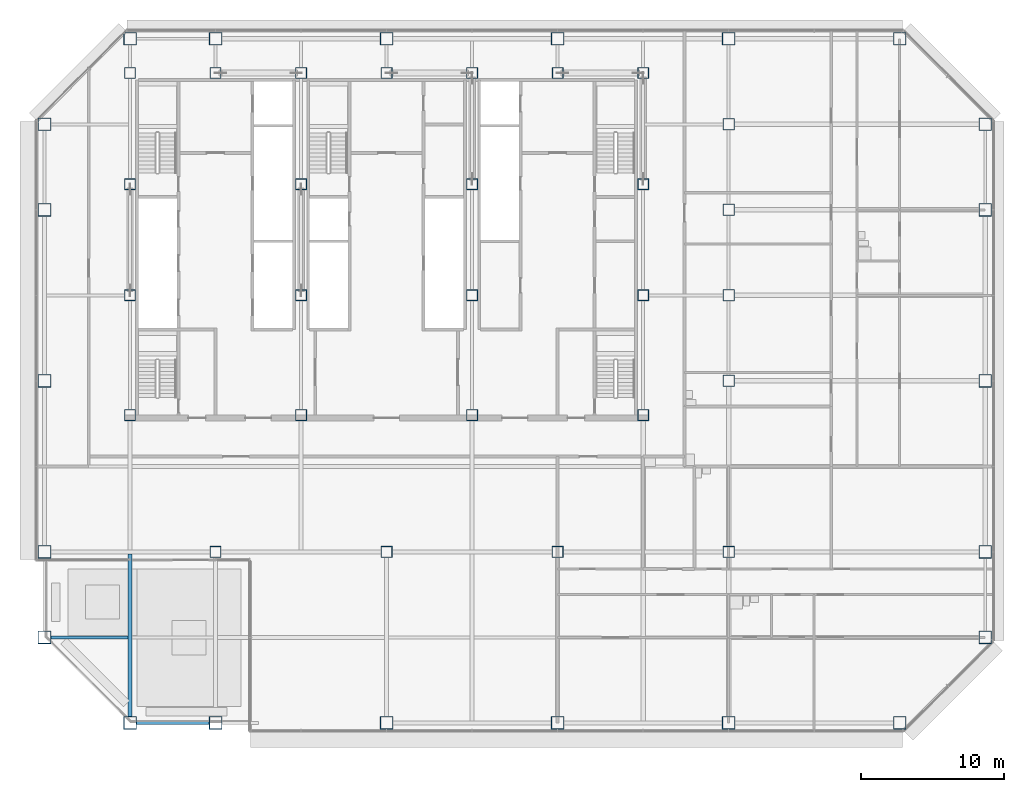
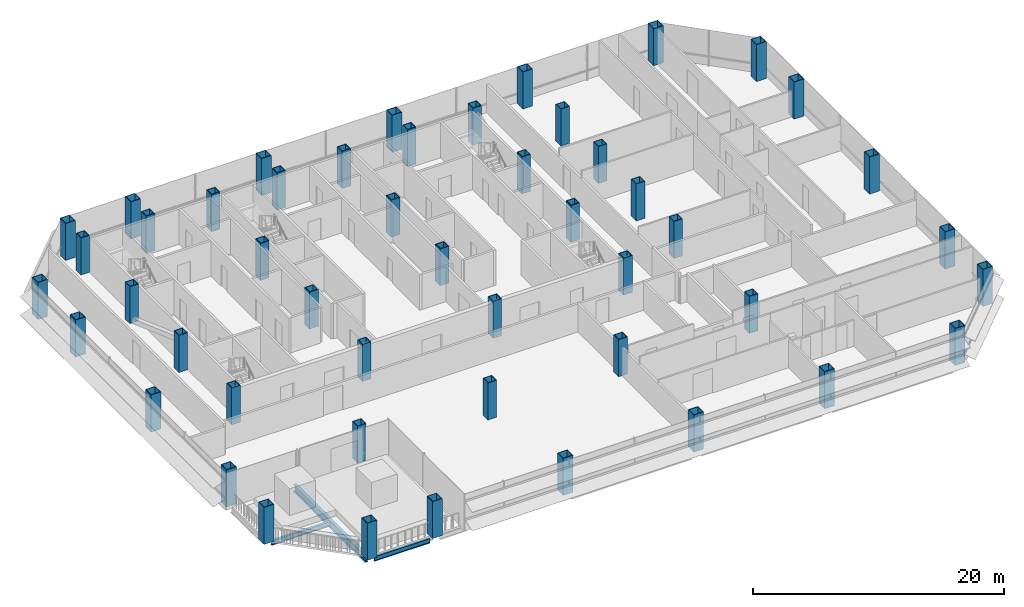
# One storey, part 1 of 28: 49 columns, 3 beams.
"""IFC4 building model written with IfcOpenShell, lengths in metres."""

import ifcopenshell
import ifcopenshell.guid

model = None  # the IFC model being written
_history = None  # IfcOwnerHistory: only IFC2X3 demands one
_inside = {}  # id of a spatial element -> (the spatial element, [elements in it])
_under = {}  # id of a project, library or spatial element -> (it, [spatial elements below it])
_declared = {}  # id of a project -> (the project, [libraries it declares])
_typed = {}  # id of a type object -> (the type object, [elements of that type])
_made_of = {}  # id of a material, layer set ... -> (it, [elements and type objects made of it])


def new_model(schema):
    """Start an empty IFC model of exactly this schema.

    Asked for "IFC4X3", IfcOpenShell would pick the latest addendum, in which some entities
    have other attributes; the version numbers below select the first issue.
    IFC2X3 requires an IfcOwnerHistory on every rooted entity: one is made here for all.
    """
    global model, _history
    if schema == "IFC4X3":
        model = ifcopenshell.file(schema_version=(4, 3, 0, 0))
    else:
        model = ifcopenshell.file(schema=schema)
    _inside.clear()
    _under.clear()
    _declared.clear()
    _typed.clear()
    _made_of.clear()
    _history = None
    if model.schema == "IFC2X3":
        org = make("IfcOrganization", Name="unknown")
        user = make(
            "IfcPersonAndOrganization",
            ThePerson=make("IfcPerson", FamilyName="unknown"),
            TheOrganization=org,
        )
        app = make(
            "IfcApplication",
            ApplicationDeveloper=org,
            Version="unknown",
            ApplicationFullName="unknown",
            ApplicationIdentifier="unknown",
        )
        _history = make(
            "IfcOwnerHistory",
            OwningUser=user,
            OwningApplication=app,
            ChangeAction="ADDED",
            CreationDate=0,
        )
    return model


def make(cls, **values):
    """One entity of the class cls with the attributes given. An attribute that is None is left unset."""
    return model.create_entity(
        cls, **{name: value for name, value in values.items() if value is not None}
    )


def rooted(cls, **values):
    """An entity with a GlobalId (a new one), such as an element, a storey or a relation."""
    return make(cls, GlobalId=ifcopenshell.guid.new(), OwnerHistory=_history, **values)


def si_unit(unit_type, name, prefix=None):
    """IfcSIUnit, for example si_unit("LENGTHUNIT", "METRE", prefix="MILLI")."""
    return make("IfcSIUnit", UnitType=unit_type, Prefix=prefix, Name=name)


def assignment(units):
    """IfcUnitAssignment: the units of a project."""
    return None if units is None else make("IfcUnitAssignment", Units=units)


def point(xyz):
    """IfcCartesianPoint."""
    return None if xyz is None else make("IfcCartesianPoint", Coordinates=xyz)


def direction(xyz):
    """IfcDirection."""
    return None if xyz is None else make("IfcDirection", DirectionRatios=xyz)


def frame(location, z_axis=None, x_axis=None):
    """IfcAxis2Placement3D, a coordinate frame: its origin and axes. An axis left out is left unset."""
    return make(
        "IfcAxis2Placement3D",
        Location=point(location),
        Axis=direction(z_axis),
        RefDirection=direction(x_axis),
    )


def frame_2d(location, x_axis=None):
    """IfcAxis2Placement2D, a coordinate frame in the plane: its origin and x axis."""
    return make(
        "IfcAxis2Placement2D", Location=point(location), RefDirection=direction(x_axis)
    )


def origin():
    """The frame at (0, 0, 0) with its axes left unset."""
    return frame((0.0, 0.0, 0.0))


def origin_2d():
    """The frame at (0, 0) in the plane with its x axis left unset."""
    return frame_2d((0.0, 0.0))


def place(relative_to, where):
    """IfcLocalPlacement: puts the frame where relative to a parent placement (None: the world)."""
    return make(
        "IfcLocalPlacement", PlacementRelTo=relative_to, RelativePlacement=where
    )


def context(
    kind, dimensions, precision=None, world=None, true_north=None, identifier=None
):
    """IfcGeometricRepresentationContext, for example the 3D "Model" context."""
    return make(
        "IfcGeometricRepresentationContext",
        ContextIdentifier=identifier,
        ContextType=kind,
        CoordinateSpaceDimension=dimensions,
        Precision=precision,
        WorldCoordinateSystem=world,
        TrueNorth=true_north,
    )


def subcontext(parent, identifier, kind, view, scale=None):
    """IfcGeometricRepresentationSubContext, for example "Body" below "Model"."""
    return make(
        "IfcGeometricRepresentationSubContext",
        ContextIdentifier=identifier,
        ContextType=kind,
        ParentContext=parent,
        TargetScale=scale,
        TargetView=view,
    )


def project(units=None, contexts=None):
    """IfcProject with its units and contexts."""
    return rooted(
        "IfcProject",
        Name="project",
        RepresentationContexts=contexts,
        UnitsInContext=assignment(units),
    )


def spatial(cls, under=None, at=None, **own):
    """A site, building, storey or space (cls), placed at a placement, below another one or the project."""
    s = rooted(cls, ObjectPlacement=at, **own)
    if under is not None:
        _under.setdefault(under.id(), (under, []))[1].append(s)
    return s


def profile(cls, at=None, kind="AREA", **sizes):
    """A parametric profile (cls). Its sizes go by their IFC names, for example OverallWidth=200.0."""
    return make(cls, ProfileType=kind, Position=at, **sizes)


def hollow_rectangle(**sizes):
    """IfcRectangleHollowProfileDef."""
    return profile("IfcRectangleHollowProfileDef", **sizes)


def i_section(**sizes):
    """IfcIShapeProfileDef."""
    return profile("IfcIShapeProfileDef", **sizes)


def extrude(swept, where, along, depth):
    """IfcExtrudedAreaSolid: the profile swept, set in the frame where, extruded along a direction by depth."""
    return make(
        "IfcExtrudedAreaSolid",
        SweptArea=swept,
        Position=where,
        ExtrudedDirection=direction(along),
        Depth=depth,
    )


def shape(context_of_items, identifier, shape_type, items):
    """IfcShapeRepresentation: the items that make up one representation, for example the "Body"."""
    return make(
        "IfcShapeRepresentation",
        ContextOfItems=context_of_items,
        RepresentationIdentifier=identifier,
        RepresentationType=shape_type,
        Items=items,
    )


def material(Name=None, Category=None):
    """IfcMaterial."""
    return make("IfcMaterial", Name=Name, Category=Category)


def material_profile(
    of_material, cross_section, Name=None, Category=None, Priority=None
):
    """IfcMaterialProfile: a cross section and its material."""
    return make(
        "IfcMaterialProfile",
        Name=Name,
        Material=of_material,
        Profile=cross_section,
        Priority=Priority,
        Category=Category,
    )


def profile_set(profiles, Name=None, composite=None):
    """IfcMaterialProfileSet."""
    return make(
        "IfcMaterialProfileSet",
        Name=Name,
        MaterialProfiles=profiles,
        CompositeProfile=composite,
    )


def made_of(thing, what):
    """Note that an element or type object is made of a material, layer set ...; save() writes the relation."""
    if what is not None:
        _made_of.setdefault(what.id(), (what, []))[1].append(thing)
    return thing


def type_object(cls, material=None, **own):
    """A type object (cls), such as IfcWallType, which elements share."""
    return made_of(rooted(cls, **own), material)


def element(
    cls,
    number,
    at=None,
    inside=None,
    cuts=None,
    type_object=None,
    material=None,
    context=None,
    identifier="Body",
    shape_type=None,
    held_by="IfcProductDefinitionShape",
    body=None,
    shapes=None,
    **own,
):
    """One element of the class cls, such as IfcWall. Its Tag is "e" and its number.

    at: its placement. inside: the storey or other place that contains it. cuts: it is an
    opening in that element (IfcRelVoidsElement). A single representation is given by context,
    identifier, shape_type and body (its items); several are given by shapes. held_by: the class
    of the entity that holds the representations. save() writes the other relations.
    """
    e = rooted(cls, Tag="e%d" % number, ObjectPlacement=at, **own)
    if body is not None:
        shapes = [shape(context, identifier, shape_type, body)]
    if shapes is not None:
        e.Representation = make(held_by, Representations=shapes)
    if inside is not None:
        _inside.setdefault(inside.id(), (inside, []))[1].append(e)
    if cuts is not None:
        rooted(
            "IfcRelVoidsElement", RelatingBuildingElement=cuts, RelatedOpeningElement=e
        )
    if type_object is not None:
        _typed.setdefault(type_object.id(), (type_object, []))[1].append(e)
    return made_of(e, material)


def aggregate(whole, parts):
    """IfcRelAggregates: a whole, such as a stair, and the parts it consists of."""
    return rooted("IfcRelAggregates", RelatingObject=whole, RelatedObjects=parts)


def save(model, path):
    """Write the relations noted so far, then the file.

    IfcRelAggregates (storeys below a building ...), IfcRelContainedInSpatialStructure (elements
    in a storey), IfcRelDefinesByType, IfcRelAssociatesMaterial and IfcRelDeclares: one each for
    every whole, place, type object, material and project.
    """
    for whole, parts in _under.values():
        aggregate(whole, parts)
    for where, things in _inside.values():
        rooted(
            "IfcRelContainedInSpatialStructure",
            RelatedElements=things,
            RelatingStructure=where,
        )
    for kind, things in _typed.values():
        rooted("IfcRelDefinesByType", RelatedObjects=things, RelatingType=kind)
    for what, things in _made_of.values():
        rooted("IfcRelAssociatesMaterial", RelatedObjects=things, RelatingMaterial=what)
    for by, libraries in _declared.values():
        rooted("IfcRelDeclares", RelatingContext=by, RelatedDefinitions=libraries)
    model.write(path)


model = new_model("IFC4")

# Units and contexts
model_context = context("Model", 3, precision=1e-05, world=origin(), true_north=direction((0.0, 1.0)))
body_context = subcontext(model_context, "Body", "Model", "MODEL_VIEW")
ifc_project = project(units=[si_unit("LENGTHUNIT", "METRE"), si_unit("AREAUNIT", "SQUARE_METRE"), si_unit("VOLUMEUNIT", "CUBIC_METRE"), si_unit("PLANEANGLEUNIT", "RADIAN"), si_unit("MASSUNIT", "GRAM", prefix="KILO")], contexts=[model_context])

# Site, building, storey
site_placement = place(None, origin())
site = spatial("IfcSite", under=ifc_project, at=site_placement, CompositionType="ELEMENT")
building_placement = place(site_placement, origin())
building = spatial("IfcBuilding", under=site, at=building_placement, Name="Sorahane Residences", CompositionType="ELEMENT")
storey_placement = place(building_placement, frame((0.0, 0.0, 60.60009765625)))
storey = spatial("IfcBuildingStorey", under=building, at=storey_placement, Name="L11", CompositionType="ELEMENT", Elevation=60.60009765625)

# Columns
ifc_material_1 = material(Name="Steel Q355B", Category="steel")
ifc_material_profile_1 = material_profile(ifc_material_1, hollow_rectangle(XDim=0.800048828125, YDim=0.800048828125, WallThickness=0.0400390625, at=origin_2d()), Name="BOX 800x800x40")
ifc_profile_set_1 = profile_set([ifc_material_profile_1], Name="Steel Q355B")
column_type_1 = type_object("IfcColumnType", Name="Steel box column BOX 800x800x40 Q355B", PredefinedType="COLUMN", material=ifc_profile_set_1)
for number, where, z_axis, x_axis, name in (
    (1, (12.0, 12.0, 0.0), (0.0, 0.0, 1.0), (1.0, 0.0, 0.0), "Column L11 12/12"),
    (2, (24.0, 12.0, 0.0), (0.0, 0.0, 1.0), (1.0, 0.0, 0.0), "Column L11 24/12"),
    (3, (36.0, 12.0, 0.0), (0.0, 0.0, 1.0), (1.0, 0.0, 0.0), "Column L11 36/12"),
    (4, (48.0, 12.0, 0.0), (0.0, 0.0, 1.0), (1.0, 0.0, 0.0), "Column L11 48/12"),
    (5, (48.0, 24.0, 0.0), (0.0, 0.0, 1.0), (1.0, 0.0, 0.0), "Column L11 48/24"),
    (6, (48.0, 30.0, 0.0), (0.0, 0.0, 1.0), (1.0, 0.0, 0.0), "Column L11 48/30"),
    (7, (48.0, 36.0, 0.0), (0.0, 0.0, 1.0), (1.0, 0.0, 0.0), "Column L11 48/36"),
    (8, (48.0, 42.0, 0.0), (0.0, 0.0, 1.0), (1.0, 0.0, 0.0), "Column L11 48/42"),
):
    element("IfcColumn", number, at=place(storey_placement, frame(where, z_axis=z_axis, x_axis=x_axis)), inside=storey, type_object=column_type_1, Name=name, PredefinedType="COLUMN", context=body_context, shape_type="SweptSolid", body=[
        extrude(hollow_rectangle(XDim=0.800048828125, YDim=0.800048828125, WallThickness=0.0400390625, at=origin_2d()), origin(), (0.0, 0.0, 1.0), 3.599853515625),
    ])
ifc_material_2 = material(Name="Steel Q420GJ", Category="steel")
ifc_material_profile_2 = material_profile(ifc_material_2, hollow_rectangle(XDim=0.800048828125, YDim=0.800048828125, WallThickness=0.06005859375, at=origin_2d()), Name="BOX 800x800x60")
ifc_profile_set_2 = profile_set([ifc_material_profile_2], Name="Steel Q420GJ")
column_type_2 = type_object("IfcColumnType", Name="Steel box column BOX 800x800x60 Q420GJ", PredefinedType="COLUMN", material=ifc_profile_set_2)
for number, where, z_axis, x_axis, name in (
    (9, (6.0, 21.60009765625, 0.0), (0.0, 0.0, 1.0), (1.0, 0.0, 0.0), "Column L11 6/21.6"),
    (10, (6.0, 30.0, 0.0), (0.0, 0.0, 1.0), (1.0, 0.0, 0.0), "Column L11 6/30"),
    (11, (6.0, 37.800048828125, 0.0), (0.0, 0.0, 1.0), (1.0, 0.0, 0.0), "Column L11 6/37.8"),
    (12, (6.0, 45.60009765625, 0.0), (0.0, 0.0, 1.0), (1.0, 0.0, 0.0), "Column L11 6/45.6"),
    (13, (12.0, 45.60009765625, 0.0), (0.0, 0.0, 1.0), (1.0, 0.0, 0.0), "Column L11 12/45.6"),
    (14, (18.0, 21.60009765625, 0.0), (0.0, 0.0, 1.0), (1.0, 0.0, 0.0), "Column L11 18/21.6"),
    (15, (18.0, 30.0, 0.0), (0.0, 0.0, 1.0), (1.0, 0.0, 0.0), "Column L11 18/30"),
    (16, (18.0, 37.800048828125, 0.0), (0.0, 0.0, 1.0), (1.0, 0.0, 0.0), "Column L11 18/37.8"),
    (17, (18.0, 45.60009765625, 0.0), (0.0, 0.0, 1.0), (1.0, 0.0, 0.0), "Column L11 18/45.6"),
    (18, (24.0, 45.60009765625, 0.0), (0.0, 0.0, 1.0), (1.0, 0.0, 0.0), "Column L11 24/45.6"),
    (19, (30.0, 21.60009765625, 0.0), (0.0, 0.0, 1.0), (1.0, 0.0, 0.0), "Column L11 30/21.6"),
    (20, (30.0, 30.0, 0.0), (0.0, 0.0, 1.0), (1.0, 0.0, 0.0), "Column L11 30/30"),
    (21, (30.0, 37.800048828125, 0.0), (0.0, 0.0, 1.0), (1.0, 0.0, 0.0), "Column L11 30/37.8"),
    (22, (30.0, 45.60009765625, 0.0), (0.0, 0.0, 1.0), (1.0, 0.0, 0.0), "Column L11 30/45.6"),
    (23, (36.0, 45.60009765625, 0.0), (0.0, 0.0, 1.0), (1.0, 0.0, 0.0), "Column L11 36/45.6"),
    (24, (42.0, 21.60009765625, 0.0), (0.0, 0.0, 1.0), (1.0, 0.0, 0.0), "Column L11 42/21.6"),
    (25, (42.0, 30.0, 0.0), (0.0, 0.0, 1.0), (1.0, 0.0, 0.0), "Column L11 42/30"),
    (26, (42.0, 37.800048828125, 0.0), (0.0, 0.0, 1.0), (1.0, 0.0, 0.0), "Column L11 42/37.8"),
    (27, (42.0, 45.60009765625, 0.0), (0.0, 0.0, 1.0), (1.0, 0.0, 0.0), "Column L11 42/45.6"),
):
    element("IfcColumn", number, at=place(storey_placement, frame(where, z_axis=z_axis, x_axis=x_axis)), inside=storey, type_object=column_type_2, Name=name, PredefinedType="COLUMN", context=body_context, shape_type="SweptSolid", body=[
        extrude(hollow_rectangle(XDim=0.800048828125, YDim=0.800048828125, WallThickness=0.06005859375, at=origin_2d()), origin(), (0.0, 0.0, 1.0), 3.599853515625),
    ])
ifc_material_3 = material(Name="Steel Q420GJ", Category="steel")
ifc_material_profile_3 = material_profile(ifc_material_3, hollow_rectangle(XDim=0.89990234375, YDim=0.89990234375, WallThickness=0.044921875, at=origin_2d()), Name="BOX 900x900x45")
ifc_profile_set_3 = profile_set([ifc_material_profile_3], Name="Steel Q420GJ")
column_type_3 = type_object("IfcColumnType", Name="Steel box column BOX 900x900x45 Q420GJ", PredefinedType="COLUMN", material=ifc_profile_set_3)
for number, where, z_axis, x_axis, name in (
    (28, (0.0, 6.0, 0.0), (0.0, 0.0, 1.0), (1.0, 0.0, 0.0), "Column L11 m0/6"),
    (29, (0.0, 12.0, 0.0), (0.0, 0.0, 1.0), (1.0, 0.0, 0.0), "Column L11 m0/12"),
    (30, (0.0, 24.0, 0.0), (0.0, 0.0, 1.0), (1.0, 0.0, 0.0), "Column L11 m0/24"),
    (31, (0.0, 36.0, 0.0), (0.0, 0.0, 1.0), (1.0, 0.0, 0.0), "Column L11 m0/36"),
    (32, (0.0, 42.0, 0.0), (0.0, 0.0, 1.0), (1.0, 0.0, 0.0), "Column L11 m0/42"),
    (33, (6.0, 0.0, 0.0), (0.0, 0.0, 1.0), (1.0, 0.0, 0.0), "Column L11 6/0"),
    (34, (6.0, 48.0, 0.0), (0.0, 0.0, 1.0), (1.0, 0.0, 0.0), "Column L11 6/48"),
    (35, (12.0, 0.0, 0.0), (0.0, 0.0, 1.0), (1.0, 0.0, 0.0), "Column L11 12/0"),
    (36, (12.0, 48.0, 0.0), (0.0, 0.0, 1.0), (1.0, 0.0, 0.0), "Column L11 12/48"),
    (37, (24.0, 0.0, 0.0), (0.0, 0.0, 1.0), (1.0, 0.0, 0.0), "Column L11 24/0"),
    (38, (24.0, 48.0, 0.0), (0.0, 0.0, 1.0), (1.0, 0.0, 0.0), "Column L11 24/48"),
    (39, (36.0, 0.0, 0.0), (0.0, 0.0, 1.0), (1.0, 0.0, 0.0), "Column L11 36/0"),
    (40, (36.0, 48.0, 0.0), (0.0, 0.0, 1.0), (1.0, 0.0, 0.0), "Column L11 36/48"),
    (41, (48.0, 0.0, 0.0), (0.0, 0.0, 1.0), (1.0, 0.0, 0.0), "Column L11 48/0"),
    (42, (48.0, 48.0, 0.0), (0.0, 0.0, 1.0), (1.0, 0.0, 0.0), "Column L11 48/48"),
    (43, (60.0, 0.0, 0.0), (0.0, 0.0, 1.0), (1.0, 0.0, 0.0), "Column L11 60/0"),
    (44, (60.0, 48.0, 0.0), (0.0, 0.0, 1.0), (1.0, 0.0, 0.0), "Column L11 60/48"),
    (45, (66.0, 6.0, 0.0), (0.0, 0.0, 1.0), (1.0, 0.0, 0.0), "Column L11 66/6"),
    (46, (66.0, 12.0, 0.0), (0.0, 0.0, 1.0), (1.0, 0.0, 0.0), "Column L11 66/12"),
    (47, (66.0, 24.0, 0.0), (0.0, 0.0, 1.0), (1.0, 0.0, 0.0), "Column L11 66/24"),
    (48, (66.0, 36.0, 0.0), (0.0, 0.0, 1.0), (1.0, 0.0, 0.0), "Column L11 66/36"),
    (49, (66.0, 42.0, 0.0), (0.0, 0.0, 1.0), (1.0, 0.0, 0.0), "Column L11 66/42"),
):
    element("IfcColumn", number, at=place(storey_placement, frame(where, z_axis=z_axis, x_axis=x_axis)), inside=storey, type_object=column_type_3, Name=name, PredefinedType="COLUMN", context=body_context, shape_type="SweptSolid", body=[
        extrude(hollow_rectangle(XDim=0.89990234375, YDim=0.89990234375, WallThickness=0.044921875, at=origin_2d()), origin(), (0.0, 0.0, 1.0), 3.599853515625),
    ])

# Beams
ifc_material_4 = material(Name="Steel Q355B", Category="steel")
ifc_material_profile_4 = material_profile(ifc_material_4, i_section(OverallWidth=0.199951171875, OverallDepth=0.449951171875, WebThickness=0.009033203125, FlangeThickness=0.013916015625, FilletRadius=0.02001953125, at=origin_2d()), Name="HN 450x200x9x14")
ifc_profile_set_4 = profile_set([ifc_material_profile_4], Name="Steel Q355B")
beam_type_1 = type_object("IfcBeamType", Name="Steel floor beam HN 450x200x9x14 Q355B", PredefinedType="BEAM", material=ifc_profile_set_4)
beam_1_placement = place(storey_placement, frame((6.449951171875, 0.0, -0.405029296875), z_axis=(1.0, 0.0, 0.0), x_axis=(0.0, 1.0, 0.0)))
element("IfcBeam", 50, at=beam_1_placement, inside=storey, type_object=beam_type_1, Name="Beam L11 000", PredefinedType="BEAM", context=body_context, shape_type="SweptSolid", body=[
    extrude(i_section(OverallWidth=0.199951171875, OverallDepth=0.449951171875, WebThickness=0.009033203125, FlangeThickness=0.013916015625, FilletRadius=0.02001953125, at=origin_2d()), origin(), (0.0, 0.0, 1.0), 5.10009765625),
])
beam_2_placement = place(storey_placement, frame((0.449951171875, 6.0, -0.405029296875), z_axis=(1.0, 0.0, 0.0), x_axis=(0.0, 1.0, 0.0)))
element("IfcBeam", 51, at=beam_2_placement, inside=storey, type_object=beam_type_1, Name="Beam L11 060", PredefinedType="BEAM", context=body_context, shape_type="SweptSolid", body=[
    extrude(i_section(OverallWidth=0.199951171875, OverallDepth=0.449951171875, WebThickness=0.009033203125, FlangeThickness=0.013916015625, FilletRadius=0.02001953125, at=origin_2d()), origin(), (0.0, 0.0, 1.0), 5.400146484375),
])
ifc_material_5 = material(Name="Steel Q355B", Category="steel")
ifc_material_profile_5 = material_profile(ifc_material_5, i_section(OverallWidth=0.300048828125, OverallDepth=0.699951171875, WebThickness=0.012939453125, FlangeThickness=0.02392578125, FilletRadius=0.028076171875, at=origin_2d()), Name="HN 700x300x13x24")
ifc_profile_set_5 = profile_set([ifc_material_profile_5], Name="Steel Q355B")
beam_type_2 = type_object("IfcBeamType", Name="Steel floor beam HN 700x300x13x24 Q355B", PredefinedType="BEAM", material=ifc_profile_set_5)
beam_3_placement = place(storey_placement, frame((6.0, 0.449951171875, -0.530029296875), z_axis=(0.0, 1.0, 0.0), x_axis=(-1.0, 0.0, 0.0)))
element("IfcBeam", 52, at=beam_3_placement, inside=storey, type_object=beam_type_2, Name="Beam L11 021", PredefinedType="BEAM", context=body_context, shape_type="SweptSolid", body=[
    extrude(i_section(OverallWidth=0.300048828125, OverallDepth=0.699951171875, WebThickness=0.012939453125, FlangeThickness=0.02392578125, FilletRadius=0.028076171875, at=origin_2d()), origin(), (0.0, 0.0, 1.0), 11.400146484375),
])

save(model, "model.ifc")
